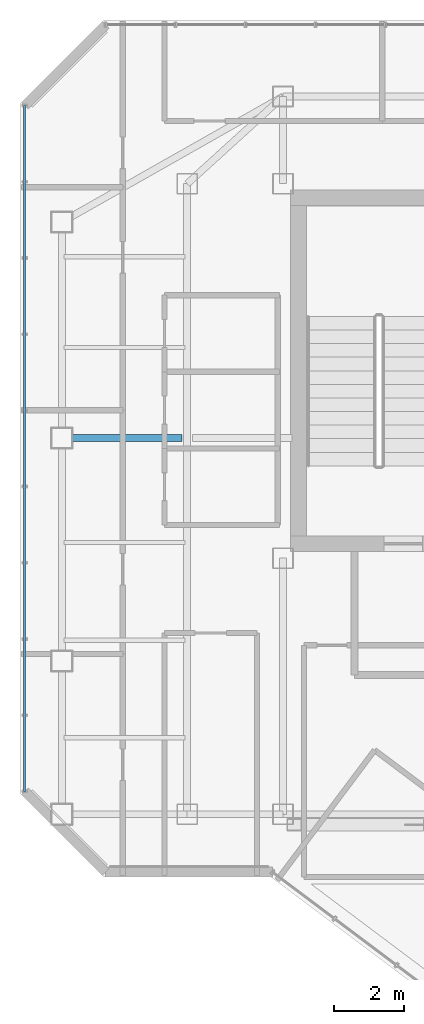
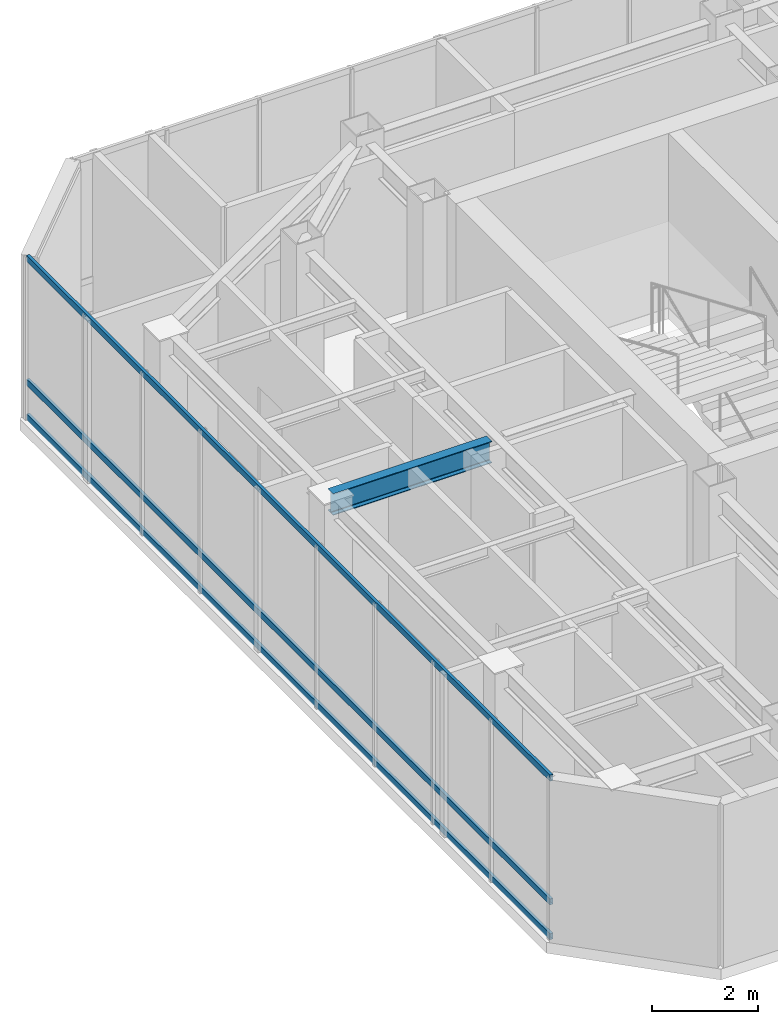
# One storey, part 13 of 31: 3 members, 1 beam, 1 element without a shape of its own.
"""IFC4 building model written with IfcOpenShell, lengths in metres."""

from ifc_helpers import new_model, si_unit, direction, frame, origin, origin_2d, place, context, subcontext, project, spatial, hollow_rectangle, i_section, extrude, material, layer, layer_set, material_profile, profile_set, type_object, element, aggregate, save


model = new_model("IFC4")

# Units and contexts
model_context = context("Model", 3, precision=1e-05, world=origin(), true_north=direction((0.0, 1.0)))
body_context = subcontext(model_context, "Body", "Model", "MODEL_VIEW")
ifc_project = project(units=[si_unit("LENGTHUNIT", "METRE"), si_unit("AREAUNIT", "SQUARE_METRE"), si_unit("VOLUMEUNIT", "CUBIC_METRE"), si_unit("PLANEANGLEUNIT", "RADIAN"), si_unit("MASSUNIT", "GRAM", prefix="KILO")], contexts=[model_context])

# Site, building, storey
site_placement = place(None, origin())
site = spatial("IfcSite", under=ifc_project, at=site_placement, CompositionType="ELEMENT")
building_placement = place(site_placement, origin())
building = spatial("IfcBuilding", under=site, at=building_placement, Name="Hatsunagi Terrace Concourse", CompositionType="ELEMENT")
storey_placement = place(building_placement, frame((0.0, 0.0, 269.949951171875)))
storey = spatial("IfcBuildingStorey", under=building, at=storey_placement, Name="L71", CompositionType="ELEMENT", Elevation=269.949951171875)

# Beam
ifc_material_1 = material(Name="Steel SN490B", Category="steel")
ifc_material_profile_1 = material_profile(ifc_material_1, i_section(OverallWidth=0.199951171875, OverallDepth=0.5, WebThickness=0.010009765625, FlangeThickness=0.01611328125, FilletRadius=0.01611328125, at=origin_2d()), Name="H-500x200x10x16")
ifc_profile_set_1 = profile_set([ifc_material_profile_1], Name="Steel SN490B")
beam_type = type_object("IfcBeamType", Name="CrownFloorGirder_H_500x200", PredefinedType="BEAM", material=ifc_profile_set_1)
beam_placement = place(storey_placement, frame((19.199951171875, 36.0, 3.5), z_axis=(1.0, 0.0, 0.0), x_axis=(0.0, 1.0, 0.0)))
element("IfcBeam", 1, at=beam_placement, inside=storey, type_object=beam_type, Name="Beam G-07 BM-L71-EW-3", PredefinedType="BEAM", context=body_context, shape_type="SweptSolid", body=[
    extrude(i_section(OverallWidth=0.199951171875, OverallDepth=0.5, WebThickness=0.010009765625, FlangeThickness=0.01611328125, FilletRadius=0.01611328125, at=origin_2d()), origin(), (0.0, 0.0, 1.0), 3.449951171875),
])

# Curtain wall, members
ifc_material_2 = material(Name="Anodised Aluminium Alloy 6063-T5", Category="aluminium")
ifc_layer = layer(ifc_material_2, 0.199951171875)
ifc_layer_set = layer_set([ifc_layer], Name="CrownWintergarden_CW06")
curtain_wall_type = type_object("IfcCurtainWallType", Name="CrownWintergarden_CW06", PredefinedType="NOTDEFINED", material=ifc_layer_set)
curtain_wall_placement = place(storey_placement, origin())
curtain_wall = element("IfcCurtainWall", 2, at=curtain_wall_placement, inside=storey, type_object=curtain_wall_type, Name="Unitised Curtain Wall CW-06 CW-L71-08", PredefinedType="NOTDEFINED")
ifc_material_3 = material(Name="Anodised Aluminium Alloy 6063-T5", Category="aluminium")
ifc_material_profile_2 = material_profile(ifc_material_3, hollow_rectangle(XDim=0.06494140625, YDim=0.139892578125, WallThickness=0.00390625, at=origin_2d()), Name="ALU-TRN-140x65x4")
ifc_profile_set_2 = profile_set([ifc_material_profile_2], Name="Anodised Aluminium Alloy 6063-T5")
member_type = type_object("IfcMemberType", Name="CurtainWallTransom_140x65", PredefinedType="USERDEFINED", material=ifc_profile_set_2)
member_1_placement = place(storey_placement, frame((18.139892578125, 25.85791015625, 0.050048828125), z_axis=(0.0, 1.0, 0.0), x_axis=(-1.0, 0.0, 0.0)))
member_1 = element("IfcMember", 3, at=member_1_placement, type_object=member_type, Name="Curtain Wall Transom TRN-02", ObjectType="TRANSOM", PredefinedType="USERDEFINED", context=body_context, shape_type="SweptSolid", body=[
    extrude(hollow_rectangle(XDim=0.06494140625, YDim=0.139892578125, WallThickness=0.00390625, at=origin_2d()), origin(), (0.0, 0.0, 1.0), 19.68408203125),
])
member_2_placement = place(storey_placement, frame((18.139892578125, 25.85791015625, 0.85009765625), z_axis=(0.0, 1.0, 0.0), x_axis=(-1.0, 0.0, 0.0)))
member_2 = element("IfcMember", 4, at=member_2_placement, type_object=member_type, Name="Curtain Wall Transom TRN-02", ObjectType="TRANSOM", PredefinedType="USERDEFINED", context=body_context, shape_type="SweptSolid", body=[
    extrude(hollow_rectangle(XDim=0.06494140625, YDim=0.139892578125, WallThickness=0.00390625, at=origin_2d()), origin(), (0.0, 0.0, 1.0), 19.68408203125),
])
member_3_placement = place(storey_placement, frame((18.139892578125, 25.85791015625, 3.68994140625), z_axis=(0.0, 1.0, 0.0), x_axis=(-1.0, 0.0, 0.0)))
member_3 = element("IfcMember", 5, at=member_3_placement, type_object=member_type, Name="Curtain Wall Transom TRN-02", ObjectType="TRANSOM", PredefinedType="USERDEFINED", context=body_context, shape_type="SweptSolid", body=[
    extrude(hollow_rectangle(XDim=0.06494140625, YDim=0.139892578125, WallThickness=0.00390625, at=origin_2d()), origin(), (0.0, 0.0, 1.0), 19.68408203125),
])
aggregate(curtain_wall, [member_1, member_2, member_3])

save(model, "model.ifc")
